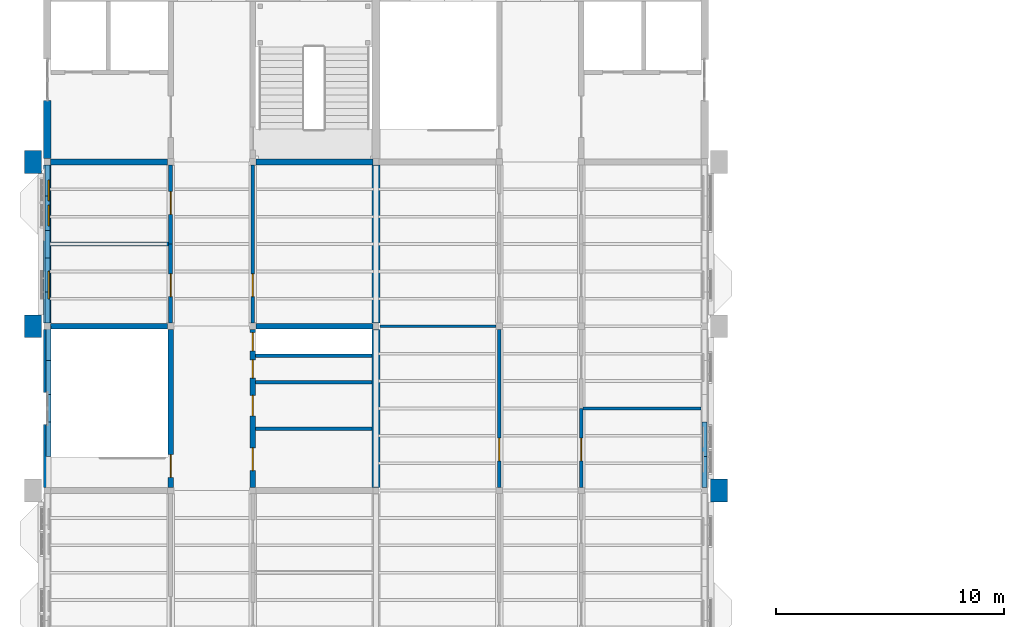
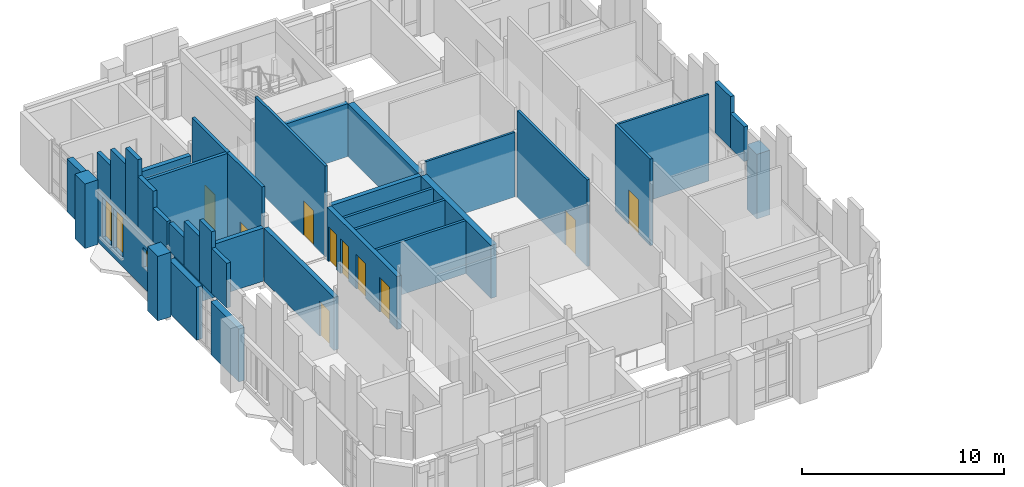
# One storey, part 34 of 51: 37 walls, 10 doors, 3 windows, 13 openings.
"""IFC4 building model written with IfcOpenShell, lengths in metres."""

from ifc_helpers import new_model, si_unit, direction, frame, frame_2d, origin, place, context, subcontext, project, spatial, rectangle, extrude, material, layer, layer_set, type_object, element, fill, save


model = new_model("IFC4")

# Units and contexts
model_context = context("Model", 3, precision=1e-05, world=origin(), true_north=direction((0.0, 1.0)))
body_context = subcontext(model_context, "Body", "Model", "MODEL_VIEW")
ifc_project = project(units=[si_unit("LENGTHUNIT", "METRE"), si_unit("AREAUNIT", "SQUARE_METRE"), si_unit("VOLUMEUNIT", "CUBIC_METRE"), si_unit("PLANEANGLEUNIT", "RADIAN"), si_unit("MASSUNIT", "GRAM", prefix="KILO")], contexts=[model_context])

# Site, building, storey
site_placement = place(None, origin())
site = spatial("IfcSite", under=ifc_project, at=site_placement, CompositionType="ELEMENT")
building_placement = place(site_placement, origin())
building = spatial("IfcBuilding", under=site, at=building_placement, Name="Mazhai Court Health Centre", CompositionType="ELEMENT")
storey_placement = place(building_placement, frame((0.0, 0.0, 14.10009765625)))
storey = spatial("IfcBuildingStorey", under=building, at=storey_placement, Name="L03", CompositionType="ELEMENT", Elevation=14.10009765625)

# Walls
ifc_material_1 = material(Name="Clay brick masonry", Category="masonry")
ifc_layer_1 = layer(ifc_material_1, 0.22998046875)
ifc_layer_set_1 = layer_set([ifc_layer_1], Name="BRICK PARAPET 230")
wall_type_1 = type_object("IfcWallType", Name="BRICK PARAPET 230", PredefinedType="SOLIDWALL", material=ifc_layer_set_1)
wall_1_placement = place(storey_placement, frame((6.25, 22.10009765625, 3.599853515625), z_axis=(0.0, 0.0, 1.0), x_axis=(0.0, 1.0, 0.0)))
element("IfcWall", 1, at=wall_1_placement, inside=storey, type_object=wall_type_1, Name="PR-V2-A12", PredefinedType="SOLIDWALL", context=body_context, shape_type="SweptSolid", body=[
    extrude(rectangle(XDim=1.5, YDim=0.22998046875, at=frame_2d((0.75, 0.0))), origin(), (0.0, 0.0, 1.0), 2.699951171875),
])
wall_2_placement = place(storey_placement, frame((6.25, 23.60009765625, 3.599853515625), z_axis=(0.0, 0.0, 1.0), x_axis=(0.0, 1.0, 0.0)))
element("IfcWall", 2, at=wall_2_placement, inside=storey, type_object=wall_type_1, Name="PR-V2-A13", PredefinedType="SOLIDWALL", context=body_context, shape_type="SweptSolid", body=[
    extrude(rectangle(XDim=1.199951171875, YDim=0.22998046875, at=frame_2d((0.60009765625, 0.0))), origin(), (0.0, 0.0, 1.0), 3.699951171875),
])
wall_3_placement = place(storey_placement, frame((6.25, 24.800048828125, 3.599853515625), z_axis=(0.0, 0.0, 1.0), x_axis=(0.0, 1.0, 0.0)))
element("IfcWall", 3, at=wall_3_placement, inside=storey, type_object=wall_type_1, Name="PR-V2-A14", PredefinedType="SOLIDWALL", context=body_context, shape_type="SweptSolid", body=[
    extrude(rectangle(XDim=1.5, YDim=0.22998046875, at=frame_2d((0.75, 0.0))), origin(), (0.0, 0.0, 1.0), 2.699951171875),
])
wall_4_placement = place(storey_placement, frame((6.25, 26.300048828125, 3.599853515625), z_axis=(0.0, 0.0, 1.0), x_axis=(0.0, 1.0, 0.0)))
element("IfcWall", 4, at=wall_4_placement, inside=storey, type_object=wall_type_1, Name="PR-V2-A15", PredefinedType="SOLIDWALL", context=body_context, shape_type="SweptSolid", body=[
    extrude(rectangle(XDim=1.5, YDim=0.22998046875, at=frame_2d((0.75, 0.0))), origin(), (0.0, 0.0, 1.0), 1.699951171875),
])
wall_5_placement = place(storey_placement, frame((6.199951171875, 27.93994140625, 3.199951171875), z_axis=(0.0, 0.0, 1.0), x_axis=(0.0, 1.0, 0.0)))
element("IfcWall", 5, at=wall_5_placement, inside=storey, type_object=wall_type_1, Name="PR-V2-A16", PredefinedType="SOLIDWALL", context=body_context, shape_type="SweptSolid", body=[
    extrude(rectangle(XDim=1.360107421875, YDim=0.22998046875, at=frame_2d((0.68017578125, 0.0))), origin(), (0.0, 0.0, 1.0), 2.099853515625),
])
wall_6_placement = place(storey_placement, frame((6.199951171875, 29.300048828125, 3.199951171875), z_axis=(0.0, 0.0, 1.0), x_axis=(0.0, 1.0, 0.0)))
element("IfcWall", 6, at=wall_6_placement, inside=storey, type_object=wall_type_1, Name="PR-V2-A17", PredefinedType="SOLIDWALL", context=body_context, shape_type="SweptSolid", body=[
    extrude(rectangle(XDim=1.5, YDim=0.22998046875, at=frame_2d((0.75, 0.0))), origin(), (0.0, 0.0, 1.0), 3.099853515625),
])
wall_7_placement = place(storey_placement, frame((6.199951171875, 30.800048828125, 3.199951171875), z_axis=(0.0, 0.0, 1.0), x_axis=(0.0, 1.0, 0.0)))
element("IfcWall", 7, at=wall_7_placement, inside=storey, type_object=wall_type_1, Name="PR-V2-A18", PredefinedType="SOLIDWALL", context=body_context, shape_type="SweptSolid", body=[
    extrude(rectangle(XDim=1.199951171875, YDim=0.22998046875, at=frame_2d((0.60009765625, 0.0))), origin(), (0.0, 0.0, 1.0), 4.099853515625),
])
wall_8_placement = place(storey_placement, frame((6.199951171875, 32.0, 3.199951171875), z_axis=(0.0, 0.0, 1.0), x_axis=(0.0, 1.0, 0.0)))
element("IfcWall", 8, at=wall_8_placement, inside=storey, type_object=wall_type_1, Name="PR-V2-A19", PredefinedType="SOLIDWALL", context=body_context, shape_type="SweptSolid", body=[
    extrude(rectangle(XDim=1.5, YDim=0.22998046875, at=frame_2d((0.75, 0.0))), origin(), (0.0, 0.0, 1.0), 3.099853515625),
])
for number, where, z_axis, x_axis, name in (
    (9, (6.199951171875, 33.5, 3.199951171875), (0.0, 0.0, 1.0), (0.0, 1.0, 0.0), "PR-V2-A20"),
    (10, (35.0, 22.10009765625, 3.199951171875), (0.0, 0.0, 1.0), (0.0, -1.0, 0.0), "PR-V5-B11"),
):
    element("IfcWall", number, at=place(storey_placement, frame(where, z_axis=z_axis, x_axis=x_axis)), inside=storey, type_object=wall_type_1, Name=name, PredefinedType="SOLIDWALL", context=body_context, shape_type="SweptSolid", body=[
        extrude(rectangle(XDim=1.360107421875, YDim=0.22998046875, at=frame_2d((0.68017578125, 0.0))), origin(), (0.0, 0.0, 1.0), 2.099853515625),
    ])
wall_9_placement = place(storey_placement, frame((35.0, 23.60009765625, 3.199951171875), z_axis=(0.0, 0.0, 1.0), x_axis=(0.0, -1.0, 0.0)))
element("IfcWall", 11, at=wall_9_placement, inside=storey, type_object=wall_type_1, Name="PR-V5-B12", PredefinedType="SOLIDWALL", context=body_context, shape_type="SweptSolid", body=[
    extrude(rectangle(XDim=1.5, YDim=0.22998046875, at=frame_2d((0.75, 0.0))), origin(), (0.0, 0.0, 1.0), 3.099853515625),
])
ifc_material_2 = material(Name="Clay brick masonry", Category="masonry")
ifc_layer_2 = layer(ifc_material_2, 0.75)
ifc_layer_set_2 = layer_set([ifc_layer_2], Name="BRICK PIER 750")
wall_type_2 = type_object("IfcWallType", Name="BRICK PIER 750", PredefinedType="SOLIDWALL", material=ifc_layer_set_2)
for number, where, z_axis, x_axis, name in (
    (12, (5.574951171875, 27.300048828125, 0.0), (0.0, 0.0, 1.0), (0.0, 1.0, 0.0), "EP-V2-L03-A3"),
    (13, (5.574951171875, 34.5, 0.0), (0.0, 0.0, 1.0), (0.0, 1.0, 0.0), "EP-V2-L03-A4"),
    (14, (35.625, 21.10009765625, 0.0), (0.0, 0.0, 1.0), (0.0, -1.0, 0.0), "EP-V5-L03-B2"),
):
    element("IfcWall", number, at=place(storey_placement, frame(where, z_axis=z_axis, x_axis=x_axis)), inside=storey, type_object=wall_type_2, Name=name, PredefinedType="SOLIDWALL", context=body_context, shape_type="SweptSolid", body=[
        extrude(rectangle(XDim=1.0, YDim=0.75, at=frame_2d((0.5, 0.0))), origin(), (0.0, 0.0, 1.0), 3.89990234375),
    ])
ifc_material_3 = material(Name="Clay brick masonry", Category="masonry")
ifc_layer_3 = layer(ifc_material_3, 0.330078125)
ifc_layer_set_3 = layer_set([ifc_layer_3], Name="BRICK WALL 330 EXTERNAL")
wall_type_3 = type_object("IfcWallType", Name="BRICK WALL 330 EXTERNAL", PredefinedType="SOLIDWALL", material=ifc_layer_set_3)
for number, where, z_axis, x_axis, name in (
    (15, (6.199951171875, 20.739990234375, 0.0), (0.0, 0.0, 1.0), (0.0, 1.0, 0.0), "EW-V2-L03-A2a"),
    (16, (6.199951171875, 24.89990234375, 0.0), (0.0, 0.0, 1.0), (0.0, 1.0, 0.0), "EW-V2-L03-A2b"),
):
    element("IfcWall", number, at=place(storey_placement, frame(where, z_axis=z_axis, x_axis=x_axis)), inside=storey, type_object=wall_type_3, Name=name, PredefinedType="SOLIDWALL", context=body_context, shape_type="SweptSolid", body=[
        extrude(rectangle(XDim=2.760009765625, YDim=0.330078125, at=frame_2d((1.3798828125, 0.0))), origin(), (0.0, 0.0, 1.0), 3.199951171875),
    ])

# Wall, openings, windows
wall_10_placement = place(storey_placement, frame((6.199951171875, 27.93994140625, 0.0), z_axis=(0.0, 0.0, 1.0), x_axis=(0.0, 1.0, 0.0)))
wall_10 = element("IfcWall", 17, at=wall_10_placement, inside=storey, type_object=wall_type_3, Name="EW-V2-L03-A3p0", PredefinedType="SOLIDWALL", context=body_context, shape_type="SweptSolid", body=[
    extrude(rectangle(XDim=6.920166015625, YDim=0.330078125, at=frame_2d((3.4599609375, 0.0))), origin(), (0.0, 0.0, 1.0), 3.199951171875),
])
opening_1_placement = place(wall_10_placement, frame((1.06005859375, 0.0, 1.199951171875)))
opening_1 = element("IfcOpeningElement", 18, at=opening_1_placement, cuts=wall_10, Name="Opening W13", PredefinedType="OPENING", context=body_context, shape_type="SweptSolid", body=[
    extrude(rectangle(XDim=1.199951171875, YDim=1.199951171875, at=frame_2d((0.60009765625, 0.60009765625))), frame((0.0, 0.175048828125, 0.0), z_axis=(0.0, -1.0, 0.0), x_axis=(1.0, 0.0, 0.0)), (0.0, 0.0, 1.0), 0.35009765625),
])
opening_2_placement = place(wall_10_placement, frame((4.260009765625, 0.0, 0.60009765625)))
opening_2 = element("IfcOpeningElement", 19, at=opening_2_placement, cuts=wall_10, Name="Opening W14", PredefinedType="OPENING", context=body_context, shape_type="SweptSolid", body=[
    extrude(rectangle(XDim=0.89990234375, YDim=2.39990234375, at=frame_2d((0.449951171875, 1.199951171875))), frame((0.0, 0.175048828125, 0.0), z_axis=(0.0, -1.0, 0.0), x_axis=(1.0, 0.0, 0.0)), (0.0, 0.0, 1.0), 0.35009765625),
])
opening_3_placement = place(wall_10_placement, frame((5.360107421875, 0.0, 0.60009765625)))
opening_3 = element("IfcOpeningElement", 20, at=opening_3_placement, cuts=wall_10, Name="Opening W14", PredefinedType="OPENING", context=body_context, shape_type="SweptSolid", body=[
    extrude(rectangle(XDim=0.89990234375, YDim=2.39990234375, at=frame_2d((0.449951171875, 1.199951171875))), frame((0.0, 0.175048828125, 0.0), z_axis=(0.0, -1.0, 0.0), x_axis=(1.0, 0.0, 0.0)), (0.0, 0.0, 1.0), 0.35009765625),
])
ifc_material_4 = material(Name="Aluminium louvre frame", Category="aluminium")
window_type_1 = type_object("IfcWindowType", Name="WINDOW PLANT LOUVRE 1200x1200", PartitioningType="SINGLE_PANEL", PredefinedType="WINDOW", material=ifc_material_4)
window_1_placement = place(opening_1_placement, origin())
window_1 = element("IfcWindow", 21, at=window_1_placement, inside=storey, type_object=window_type_1, Name="W13 WN-V2-L03-A30", OverallHeight=1.199951171875, OverallWidth=1.199951171875, PartitioningType="SINGLE_PANEL", PredefinedType="WINDOW", context=body_context, shape_type="SweptSolid", body=[
    extrude(rectangle(XDim=1.199951171875, YDim=1.199951171875, at=frame_2d((0.60009765625, 0.60009765625))), frame((0.0, -0.030029296875, 0.0), z_axis=(0.0, -1.0, 0.0), x_axis=(1.0, 0.0, 0.0)), (0.0, 0.0, 1.0), 0.06005859375),
])
fill(opening_1, window_1)
ifc_material_5 = material(Name="Teak timber frame, glazed", Category="wood")
window_type_2 = type_object("IfcWindowType", Name="WINDOW TALL PAIRED 900x2400", PartitioningType="SINGLE_PANEL", PredefinedType="WINDOW", material=ifc_material_5)
window_2_placement = place(opening_2_placement, origin())
window_2 = element("IfcWindow", 22, at=window_2_placement, inside=storey, type_object=window_type_2, Name="W14 WN-V2-L03-A31a", OverallHeight=2.39990234375, OverallWidth=0.89990234375, PartitioningType="SINGLE_PANEL", PredefinedType="WINDOW", context=body_context, shape_type="SweptSolid", body=[
    extrude(rectangle(XDim=0.89990234375, YDim=2.39990234375, at=frame_2d((0.449951171875, 1.199951171875))), frame((0.0, -0.030029296875, 0.0), z_axis=(0.0, -1.0, 0.0), x_axis=(1.0, 0.0, 0.0)), (0.0, 0.0, 1.0), 0.06005859375),
])
fill(opening_2, window_2)
window_3_placement = place(opening_3_placement, origin())
window_3 = element("IfcWindow", 23, at=window_3_placement, inside=storey, type_object=window_type_2, Name="W14 WN-V2-L03-A31b", OverallHeight=2.39990234375, OverallWidth=0.89990234375, PartitioningType="SINGLE_PANEL", PredefinedType="WINDOW", context=body_context, shape_type="SweptSolid", body=[
    extrude(rectangle(XDim=0.89990234375, YDim=2.39990234375, at=frame_2d((0.449951171875, 1.199951171875))), frame((0.0, -0.030029296875, 0.0), z_axis=(0.0, -1.0, 0.0), x_axis=(1.0, 0.0, 0.0)), (0.0, 0.0, 1.0), 0.06005859375),
])
fill(opening_3, window_3)

# Walls
wall_11_placement = place(storey_placement, frame((6.199951171875, 35.139892578125, 0.0), z_axis=(0.0, 0.0, 1.0), x_axis=(0.0, 1.0, 0.0)))
element("IfcWall", 24, at=wall_11_placement, inside=storey, type_object=wall_type_3, Name="EW-V2-L03-A4a", PredefinedType="SOLIDWALL", context=body_context, shape_type="SweptSolid", body=[
    extrude(rectangle(XDim=2.56005859375, YDim=0.330078125, at=frame_2d((1.280029296875, 0.0))), origin(), (0.0, 0.0, 1.0), 3.199951171875),
])
ifc_material_6 = material(Name="Clay brick masonry", Category="masonry")
ifc_layer_4 = layer(ifc_material_6, 0.330078125)
ifc_layer_set_4 = layer_set([ifc_layer_4], Name="BRICK WALL 330 INTERNAL")
wall_type_4 = type_object("IfcWallType", Name="BRICK WALL 330 INTERNAL", PredefinedType="SOLIDWALL", material=ifc_layer_set_4)
wall_12_placement = place(storey_placement, frame((20.60009765625, 27.659912109375, 0.0), z_axis=(0.0, 0.0, 1.0), x_axis=(0.0, -1.0, 0.0)))
element("IfcWall", 25, at=wall_12_placement, inside=storey, type_object=wall_type_4, Name="EW-V2-L03-B2", PredefinedType="SOLIDWALL", context=body_context, shape_type="SweptSolid", body=[
    extrude(rectangle(XDim=6.919921875, YDim=0.330078125, at=frame_2d((3.4599609375, 0.0))), origin(), (0.0, 0.0, 1.0), 3.199951171875),
])
wall_13_placement = place(storey_placement, frame((20.60009765625, 34.860107421875, 0.0), z_axis=(0.0, 0.0, 1.0), x_axis=(0.0, -1.0, 0.0)))
element("IfcWall", 26, at=wall_13_placement, inside=storey, type_object=wall_type_4, Name="EW-V2-L03-B3", PredefinedType="SOLIDWALL", context=body_context, shape_type="SweptSolid", body=[
    extrude(rectangle(XDim=6.920166015625, YDim=0.330078125, at=frame_2d((3.4599609375, 0.0))), origin(), (0.0, 0.0, 1.0), 3.199951171875),
])
ifc_material_7 = material(Name="Gypsum plasterboard partition")
ifc_layer_5 = layer(ifc_material_7, 0.125)
ifc_layer_set_5 = layer_set([ifc_layer_5], Name="PARTITION 125 STUD EI30")
wall_type_5 = type_object("IfcWallType", Name="PARTITION 125 STUD EI30", PredefinedType="PARTITIONING", material=ifc_layer_set_5)
wall_14_placement = place(storey_placement, frame((20.764892578125, 27.800048828125, 0.0), z_axis=(0.0, 0.0, 1.0), x_axis=(1.0, 0.0, 0.0)))
element("IfcWall", 27, at=wall_14_placement, inside=storey, type_object=wall_type_5, Name="wall-V5-L03-A0-cross-2a", PredefinedType="PARTITIONING", context=body_context, shape_type="SweptSolid", body=[
    extrude(rectangle(XDim=5.09521484375, YDim=0.125, at=frame_2d((2.547607421875, 0.0))), origin(), (0.0, 0.0, 1.0), 3.89990234375),
])
wall_15_placement = place(storey_placement, frame((34.8349609375, 24.199951171875, 0.0), z_axis=(0.0, 0.0, 1.0), x_axis=(-1.0, 0.0, 0.0)))
element("IfcWall", 28, at=wall_15_placement, inside=storey, type_object=wall_type_5, Name="wall-V5-L03-B0-cross-3a", PredefinedType="PARTITIONING", context=body_context, shape_type="SweptSolid", body=[
    extrude(rectangle(XDim=5.159912109375, YDim=0.125, at=frame_2d((2.580078125, 0.0))), origin(), (0.0, 0.0, 1.0), 5.233154296875),
])

# Wall, opening, door
ifc_material_8 = material(Name="Gypsum plasterboard partition")
ifc_layer_6 = layer(ifc_material_8, 0.14990234375)
ifc_layer_set_6 = layer_set([ifc_layer_6], Name="PARTITION 150 CORRIDOR EI60")
wall_type_6 = type_object("IfcWallType", Name="PARTITION 150 CORRIDOR EI60", PredefinedType="PARTITIONING", material=ifc_layer_set_6)
wall_16_placement = place(storey_placement, frame((15.199951171875, 34.860107421875, 0.0), z_axis=(0.0, 0.0, 1.0), x_axis=(0.0, -1.0, 0.0)))
wall_16 = element("IfcWall", 29, at=wall_16_placement, inside=storey, type_object=wall_type_6, Name="wall-V2-L03-B1-corr-0a", PredefinedType="PARTITIONING", context=body_context, shape_type="SweptSolid", body=[
    extrude(rectangle(XDim=6.920166015625, YDim=0.14990234375, at=frame_2d((3.4599609375, 0.0))), origin(), (0.0, 0.0, 1.0), 5.485107421875),
])
opening_4_placement = place(wall_16_placement, frame((4.760009765625, 0.0, 0.0)))
opening_4 = element("IfcOpeningElement", 30, at=opening_4_placement, cuts=wall_16, Name="Opening D-L03-017", PredefinedType="OPENING", context=body_context, shape_type="SweptSolid", body=[
    extrude(rectangle(XDim=1.0, YDim=2.10009765625, at=frame_2d((0.5, 1.050048828125))), frame((0.0, 0.0849609375, 0.0), z_axis=(0.0, -1.0, 0.0), x_axis=(1.0, 0.0, 0.0)), (0.0, 0.0, 1.0), 0.169921875),
])
ifc_material_9 = material(Name="Hardwood door leaf", Category="wood")
door_type_1 = type_object("IfcDoorType", Name="DOOR 1000x2100 FD30S SINGLE", OperationType="NOTDEFINED", PredefinedType="DOOR", material=ifc_material_9)
door_1_placement = place(opening_4_placement, origin())
door_1 = element("IfcDoor", 31, at=door_1_placement, inside=storey, type_object=door_type_1, Name="door-V2-L03-B1-staff-change-and-rest-room", OperationType="SINGLE_SWING_RIGHT", OverallHeight=2.10009765625, OverallWidth=1.0, PredefinedType="DOOR", context=body_context, shape_type="SweptSolid", body=[
    extrude(rectangle(XDim=1.0, YDim=2.10009765625, at=frame_2d((0.5, 1.050048828125))), frame((0.0, 0.02490234375, 0.0), z_axis=(0.0, -1.0, 0.0), x_axis=(1.0, 0.0, 0.0)), (0.0, 0.0, 1.0), 0.050048828125),
])
fill(opening_4, door_1)

wall_17_placement = place(storey_placement, frame((26.0, 20.739990234375, 0.0), z_axis=(0.0, 0.0, 1.0), x_axis=(0.0, 1.0, 0.0)))
wall_17 = element("IfcWall", 32, at=wall_17_placement, inside=storey, type_object=wall_type_6, Name="wall-V5-L03-A0-corr-1a", PredefinedType="PARTITIONING", context=body_context, shape_type="SweptSolid", body=[
    extrude(rectangle(XDim=6.919921875, YDim=0.14990234375, at=frame_2d((3.4599609375, 0.0))), origin(), (0.0, 0.0, 1.0), 5.233154296875),
])
opening_5_placement = place(wall_17_placement, frame((1.159912109375, 0.0, 0.0)))
opening_5 = element("IfcOpeningElement", 33, at=opening_5_placement, cuts=wall_17, Name="Opening D-L03-021", PredefinedType="OPENING", context=body_context, shape_type="SweptSolid", body=[
    extrude(rectangle(XDim=1.0, YDim=2.10009765625, at=frame_2d((0.5, 1.050048828125))), frame((0.0, 0.0849609375, 0.0), z_axis=(0.0, -1.0, 0.0), x_axis=(1.0, 0.0, 0.0)), (0.0, 0.0, 1.0), 0.169921875),
])
door_2_placement = place(opening_5_placement, origin())
door_2 = element("IfcDoor", 34, at=door_2_placement, inside=storey, type_object=door_type_1, Name="door-V5-L03-A0-lecture-room", OperationType="SINGLE_SWING_LEFT", OverallHeight=2.10009765625, OverallWidth=1.0, PredefinedType="DOOR", context=body_context, shape_type="SweptSolid", body=[
    extrude(rectangle(XDim=1.0, YDim=2.10009765625, at=frame_2d((0.5, 1.050048828125))), frame((0.0, 0.02490234375, 0.0), z_axis=(0.0, -1.0, 0.0), x_axis=(1.0, 0.0, 0.0)), (0.0, 0.0, 1.0), 0.050048828125),
])
fill(opening_5, door_2)

wall_18_placement = place(storey_placement, frame((29.60009765625, 24.199951171875, 0.0), z_axis=(0.0, 0.0, 1.0), x_axis=(0.0, -1.0, 0.0)))
wall_18 = element("IfcWall", 35, at=wall_18_placement, inside=storey, type_object=wall_type_6, Name="wall-V5-L03-B0-corr-2a", PredefinedType="PARTITIONING", context=body_context, shape_type="SweptSolid", body=[
    extrude(rectangle(XDim=3.4599609375, YDim=0.14990234375, at=frame_2d((1.72998046875, 0.0))), origin(), (0.0, 0.0, 1.0), 5.233154296875),
])
opening_6_placement = place(wall_18_placement, frame((1.300048828125, 0.0, 0.0)))
opening_6 = element("IfcOpeningElement", 36, at=opening_6_placement, cuts=wall_18, Name="Opening D-L03-031", PredefinedType="OPENING", context=body_context, shape_type="SweptSolid", body=[
    extrude(rectangle(XDim=1.0, YDim=2.10009765625, at=frame_2d((0.5, 1.050048828125))), frame((0.0, 0.0849609375, 0.0), z_axis=(0.0, -1.0, 0.0), x_axis=(1.0, 0.0, 0.0)), (0.0, 0.0, 1.0), 0.169921875),
])
door_3_placement = place(opening_6_placement, origin())
door_3 = element("IfcDoor", 37, at=door_3_placement, inside=storey, type_object=door_type_1, Name="door-V5-L03-B0-meeting-room", OperationType="SINGLE_SWING_RIGHT", OverallHeight=2.10009765625, OverallWidth=1.0, PredefinedType="DOOR", context=body_context, shape_type="SweptSolid", body=[
    extrude(rectangle(XDim=1.0, YDim=2.10009765625, at=frame_2d((0.5, 1.050048828125))), frame((0.0, 0.02490234375, 0.0), z_axis=(0.0, -1.0, 0.0), x_axis=(1.0, 0.0, 0.0)), (0.0, 0.0, 1.0), 0.050048828125),
])
fill(opening_6, door_3)

ifc_material_10 = material(Name="Gypsum plasterboard partition")
ifc_layer_7 = layer(ifc_material_10, 0.175048828125)
ifc_layer_set_7 = layer_set([ifc_layer_7], Name="PARTITION 175 FIRE EI60")
wall_type_7 = type_object("IfcWallType", Name="PARTITION 175 FIRE EI60", PredefinedType="PARTITIONING", material=ifc_layer_set_7)
wall_19_placement = place(storey_placement, frame((11.60009765625, 31.39990234375, 0.0), z_axis=(0.0, 0.0, 1.0), x_axis=(0.0, -1.0, 0.0)))
wall_19 = element("IfcWall", 38, at=wall_19_placement, inside=storey, type_object=wall_type_7, Name="wall-V2-L03-A1-corr-0a", PredefinedType="PARTITIONING", context=body_context, shape_type="SweptSolid", body=[
    extrude(rectangle(XDim=3.4599609375, YDim=0.175048828125, at=frame_2d((1.72998046875, 0.0))), origin(), (0.0, 0.0, 1.0), 5.485107421875),
])
opening_7_placement = place(wall_19_placement, frame((1.300048828125, 0.0, 0.0)))
opening_7 = element("IfcOpeningElement", 39, at=opening_7_placement, cuts=wall_19, Name="Opening D-L03-004", PredefinedType="OPENING", context=body_context, shape_type="SweptSolid", body=[
    extrude(rectangle(XDim=1.0, YDim=2.10009765625, at=frame_2d((0.5, 1.050048828125))), frame((0.0, 0.097412109375, 0.0), z_axis=(0.0, -1.0, 0.0), x_axis=(1.0, 0.0, 0.0)), (0.0, 0.0, 1.0), 0.195068359375),
])
ifc_material_11 = material(Name="Hardwood door leaf", Category="wood")
door_type_2 = type_object("IfcDoorType", Name="DOOR 1000x2100 FD60 SINGLE", OperationType="NOTDEFINED", PredefinedType="DOOR", material=ifc_material_11)
door_4_placement = place(opening_7_placement, origin())
door_4 = element("IfcDoor", 40, at=door_4_placement, inside=storey, type_object=door_type_2, Name="door-V2-L03-A1-ot-ahu-plant-room", OperationType="SINGLE_SWING_RIGHT", OverallHeight=2.10009765625, OverallWidth=1.0, PredefinedType="DOOR", context=body_context, shape_type="SweptSolid", body=[
    extrude(rectangle(XDim=1.0, YDim=2.10009765625, at=frame_2d((0.5, 1.050048828125))), frame((0.0, 0.02490234375, 0.0), z_axis=(0.0, -1.0, 0.0), x_axis=(1.0, 0.0, 0.0)), (0.0, 0.0, 1.0), 0.050048828125),
])
fill(opening_7, door_4)

wall_20_placement = place(storey_placement, frame((11.60009765625, 34.860107421875, 0.0), z_axis=(0.0, 0.0, 1.0), x_axis=(0.0, -1.0, 0.0)))
wall_20 = element("IfcWall", 41, at=wall_20_placement, inside=storey, type_object=wall_type_7, Name="wall-V2-L03-A1-corr-1a", PredefinedType="PARTITIONING", context=body_context, shape_type="SweptSolid", body=[
    extrude(rectangle(XDim=3.460205078125, YDim=0.175048828125, at=frame_2d((1.72998046875, 0.0))), origin(), (0.0, 0.0, 1.0), 5.485107421875),
])
opening_8_placement = place(wall_20_placement, frame((1.159912109375, 0.0, 0.0)))
opening_8 = element("IfcOpeningElement", 42, at=opening_8_placement, cuts=wall_20, Name="Opening D-L03-005", PredefinedType="OPENING", context=body_context, shape_type="SweptSolid", body=[
    extrude(rectangle(XDim=1.0, YDim=2.10009765625, at=frame_2d((0.5, 1.050048828125))), frame((0.0, 0.097412109375, 0.0), z_axis=(0.0, -1.0, 0.0), x_axis=(1.0, 0.0, 0.0)), (0.0, 0.0, 1.0), 0.195068359375),
])
door_5_placement = place(opening_8_placement, origin())
door_5 = element("IfcDoor", 43, at=door_5_placement, inside=storey, type_object=door_type_2, Name="door-V2-L03-A1-operating-suite-power-distribution-room", OperationType="SINGLE_SWING_LEFT", OverallHeight=2.10009765625, OverallWidth=1.0, PredefinedType="DOOR", context=body_context, shape_type="SweptSolid", body=[
    extrude(rectangle(XDim=1.0, YDim=2.10009765625, at=frame_2d((0.5, 1.050048828125))), frame((0.0, 0.02490234375, 0.0), z_axis=(0.0, -1.0, 0.0), x_axis=(1.0, 0.0, 0.0)), (0.0, 0.0, 1.0), 0.050048828125),
])
fill(opening_8, door_5)

# Wall
wall_21_placement = place(storey_placement, frame((6.364990234375, 31.39990234375, 0.0), z_axis=(0.0, 0.0, 1.0), x_axis=(1.0, 0.0, 0.0)))
element("IfcWall", 44, at=wall_21_placement, inside=storey, type_object=wall_type_7, Name="wall-V2-L03-A1-cross-1a", PredefinedType="PARTITIONING", context=body_context, shape_type="SweptSolid", body=[
    extrude(rectangle(XDim=5.1474609375, YDim=0.175048828125, at=frame_2d((2.57373046875, 0.0))), origin(), (0.0, 0.0, 1.0), 5.485107421875),
])

# Wall, opening, door
ifc_material_12 = material(Name="Concrete M40", Category="concrete")
ifc_layer_8 = layer(ifc_material_12, 0.25)
ifc_layer_set_8 = layer_set([ifc_layer_8], Name="RC CORE WALL 250 M40")
wall_type_8 = type_object("IfcWallType", Name="RC CORE WALL 250 M40", PredefinedType="SHEAR", material=ifc_layer_set_8)
wall_22_placement = place(storey_placement, frame((11.60009765625, 20.739990234375, 0.0), z_axis=(0.0, 0.0, 1.0), x_axis=(0.0, 1.0, 0.0)))
wall_22 = element("IfcWall", 45, at=wall_22_placement, inside=storey, type_object=wall_type_8, Name="core-C2-w-stair-corr-L03", PredefinedType="SHEAR", context=body_context, shape_type="SweptSolid", body=[
    extrude(rectangle(XDim=6.919921875, YDim=0.25, at=frame_2d((3.4599609375, 0.0))), origin(), (0.0, 0.0, 1.0), 3.199951171875),
])
opening_9_placement = place(wall_22_placement, frame((0.43505859375, 0.0, 0.0)))
opening_9 = element("IfcOpeningElement", 46, at=opening_9_placement, cuts=wall_22, Name="Opening D-L03-003", PredefinedType="OPENING", context=body_context, shape_type="SweptSolid", body=[
    extrude(rectangle(XDim=1.0, YDim=2.10009765625, at=frame_2d((0.5, 1.050048828125))), frame((0.0, 0.135009765625, 0.0), z_axis=(0.0, -1.0, 0.0), x_axis=(1.0, 0.0, 0.0)), (0.0, 0.0, 1.0), 0.27001953125),
])
ifc_material_13 = material(Name="Steel fire door leaf", Category="steel")
door_type_3 = type_object("IfcDoorType", Name="FD120S STAIR DOOR 1000x2100", OperationType="SINGLE_SWING_LEFT", PredefinedType="DOOR", material=ifc_material_13)
door_6_placement = place(opening_9_placement, origin())
door_6 = element("IfcDoor", 47, at=door_6_placement, inside=storey, type_object=door_type_3, Name="Stair 2 door L03", OperationType="SINGLE_SWING_RIGHT", OverallHeight=2.10009765625, OverallWidth=1.0, PredefinedType="DOOR", context=body_context, shape_type="SweptSolid", body=[
    extrude(rectangle(XDim=1.0, YDim=2.10009765625, at=frame_2d((0.5, 1.050048828125))), frame((0.0, 0.02490234375, 0.0), z_axis=(0.0, -1.0, 0.0), x_axis=(1.0, 0.0, 0.0)), (0.0, 0.0, 1.0), 0.050048828125),
])
fill(opening_9, door_6)

# Wall
wall_23_placement = place(storey_placement, frame((6.340087890625, 27.800048828125, 0.0), z_axis=(0.0, 0.0, 1.0), x_axis=(1.0, 0.0, 0.0)))
element("IfcWall", 48, at=wall_23_placement, inside=storey, type_object=wall_type_8, Name="core-C2-w-stair-line1-L03", PredefinedType="SHEAR", context=body_context, shape_type="SweptSolid", body=[
    extrude(rectangle(XDim=5.119873046875, YDim=0.25, at=frame_2d((2.56005859375, 0.0))), origin(), (0.0, 0.0, 1.0), 3.199951171875),
])

# Wall, openings, doors
wall_24_placement = place(storey_placement, frame((15.199951171875, 20.739990234375, 0.0), z_axis=(0.0, 0.0, 1.0), x_axis=(0.0, 1.0, 0.0)))
wall_24 = element("IfcWall", 49, at=wall_24_placement, inside=storey, type_object=wall_type_8, Name="core-C2-w-other-corr-L03", PredefinedType="SHEAR", context=body_context, shape_type="SweptSolid", body=[
    extrude(rectangle(XDim=6.919921875, YDim=0.25, at=frame_2d((3.4599609375, 0.0))), origin(), (0.0, 0.0, 1.0), 3.199951171875),
])
opening_10_placement = place(wall_24_placement, frame((0.735107421875, 0.0, 0.0)))
opening_10 = element("IfcOpeningElement", 50, at=opening_10_placement, cuts=wall_24, Name="Opening D-L03-013", PredefinedType="OPENING", context=body_context, shape_type="SweptSolid", body=[
    extrude(rectangle(XDim=1.0, YDim=2.10009765625, at=frame_2d((0.5, 1.050048828125))), frame((0.0, 0.135009765625, 0.0), z_axis=(0.0, -1.0, 0.0), x_axis=(1.0, 0.0, 0.0)), (0.0, 0.0, 1.0), 0.27001953125),
])
opening_11_placement = place(wall_24_placement, frame((3.135009765625, 0.0, 0.0)))
opening_11 = element("IfcOpeningElement", 51, at=opening_11_placement, cuts=wall_24, Name="Opening D-L03-014", PredefinedType="OPENING", context=body_context, shape_type="SweptSolid", body=[
    extrude(rectangle(XDim=0.89990234375, YDim=2.10009765625, at=frame_2d((0.449951171875, 1.050048828125))), frame((0.0, 0.135009765625, 0.0), z_axis=(0.0, -1.0, 0.0), x_axis=(1.0, 0.0, 0.0)), (0.0, 0.0, 1.0), 0.27001953125),
])
opening_12_placement = place(wall_24_placement, frame((4.784912109375, 0.0, 0.0)))
opening_12 = element("IfcOpeningElement", 52, at=opening_12_placement, cuts=wall_24, Name="Opening D-L03-015", PredefinedType="OPENING", context=body_context, shape_type="SweptSolid", body=[
    extrude(rectangle(XDim=0.800048828125, YDim=2.10009765625, at=frame_2d((0.39990234375, 1.050048828125))), frame((0.0, 0.135009765625, 0.0), z_axis=(0.0, -1.0, 0.0), x_axis=(1.0, 0.0, 0.0)), (0.0, 0.0, 1.0), 0.27001953125),
])
opening_13_placement = place(wall_24_placement, frame((5.985107421875, 0.0, 0.0)))
opening_13 = element("IfcOpeningElement", 53, at=opening_13_placement, cuts=wall_24, Name="Opening D-L03-016", PredefinedType="OPENING", context=body_context, shape_type="SweptSolid", body=[
    extrude(rectangle(XDim=0.800048828125, YDim=2.10009765625, at=frame_2d((0.39990234375, 1.050048828125))), frame((0.0, 0.135009765625, 0.0), z_axis=(0.0, -1.0, 0.0), x_axis=(1.0, 0.0, 0.0)), (0.0, 0.0, 1.0), 0.27001953125),
])
ifc_material_14 = material(Name="Timber door leaf", Category="wood")
door_type_4 = type_object("IfcDoorType", Name="ACCESSIBLE WC DOOR 1000x2100", OperationType="SINGLE_SWING_RIGHT", PredefinedType="DOOR", material=ifc_material_14)
door_7_placement = place(opening_10_placement, origin())
door_7 = element("IfcDoor", 54, at=door_7_placement, inside=storey, type_object=door_type_4, Name="Accessible WC door L03", OperationType="SINGLE_SWING_LEFT", OverallHeight=2.10009765625, OverallWidth=1.0, PredefinedType="DOOR", context=body_context, shape_type="SweptSolid", body=[
    extrude(rectangle(XDim=1.0, YDim=2.10009765625, at=frame_2d((0.5, 1.050048828125))), frame((0.0, 0.02490234375, 0.0), z_axis=(0.0, -1.0, 0.0), x_axis=(1.0, 0.0, 0.0)), (0.0, 0.0, 1.0), 0.050048828125),
])
fill(opening_10, door_7)
ifc_material_15 = material(Name="Timber door leaf", Category="wood")
door_type_5 = type_object("IfcDoorType", Name="CLEANER STORE DOOR 800x2100", OperationType="SINGLE_SWING_LEFT", PredefinedType="DOOR", material=ifc_material_15)
door_8_placement = place(opening_12_placement, origin())
door_8 = element("IfcDoor", 55, at=door_8_placement, inside=storey, type_object=door_type_5, Name="Cleaner door L03", OperationType="SINGLE_SWING_LEFT", OverallHeight=2.10009765625, OverallWidth=0.800048828125, PredefinedType="DOOR", context=body_context, shape_type="SweptSolid", body=[
    extrude(rectangle(XDim=0.800048828125, YDim=2.10009765625, at=frame_2d((0.39990234375, 1.050048828125))), frame((0.0, 0.02490234375, 0.0), z_axis=(0.0, -1.0, 0.0), x_axis=(1.0, 0.0, 0.0)), (0.0, 0.0, 1.0), 0.050048828125),
])
fill(opening_12, door_8)
ifc_material_16 = material(Name="Steel fire door leaf", Category="steel")
door_type_6 = type_object("IfcDoorType", Name="FD60S RISER DOOR 800x2100", OperationType="SINGLE_SWING_LEFT", PredefinedType="DOOR", material=ifc_material_16)
door_9_placement = place(opening_13_placement, origin())
door_9 = element("IfcDoor", 56, at=door_9_placement, inside=storey, type_object=door_type_6, Name="Riser door L03", OperationType="SINGLE_SWING_LEFT", OverallHeight=2.10009765625, OverallWidth=0.800048828125, PredefinedType="DOOR", context=body_context, shape_type="SweptSolid", body=[
    extrude(rectangle(XDim=0.800048828125, YDim=2.10009765625, at=frame_2d((0.39990234375, 1.050048828125))), frame((0.0, 0.02490234375, 0.0), z_axis=(0.0, -1.0, 0.0), x_axis=(1.0, 0.0, 0.0)), (0.0, 0.0, 1.0), 0.050048828125),
])
fill(opening_13, door_9)
ifc_material_17 = material(Name="Timber door leaf", Category="wood")
door_type_7 = type_object("IfcDoorType", Name="WC DOOR 900x2100", OperationType="SINGLE_SWING_LEFT", PredefinedType="DOOR", material=ifc_material_17)
door_10_placement = place(opening_11_placement, origin())
door_10 = element("IfcDoor", 57, at=door_10_placement, inside=storey, type_object=door_type_7, Name="WC door L03", OperationType="SINGLE_SWING_LEFT", OverallHeight=2.10009765625, OverallWidth=0.89990234375, PredefinedType="DOOR", context=body_context, shape_type="SweptSolid", body=[
    extrude(rectangle(XDim=0.89990234375, YDim=2.10009765625, at=frame_2d((0.449951171875, 1.050048828125))), frame((0.0, 0.02490234375, 0.0), z_axis=(0.0, -1.0, 0.0), x_axis=(1.0, 0.0, 0.0)), (0.0, 0.0, 1.0), 0.050048828125),
])
fill(opening_11, door_10)

# Walls
for number, where, z_axis, x_axis, name in (
    (58, (15.340087890625, 27.800048828125, 0.0), (0.0, 0.0, 1.0), (1.0, 0.0, 0.0), "core-C2-w-other-line1-L03"),
    (59, (15.340087890625, 35.0, 0.0), (0.0, 0.0, 1.0), (1.0, 0.0, 0.0), "core-C3-w-stair-line0-L03"),
    (60, (6.340087890625, 35.0, 0.0), (0.0, 0.0, 1.0), (1.0, 0.0, 0.0), "core-C3-w-other-line0-L03"),
):
    element("IfcWall", number, at=place(storey_placement, frame(where, z_axis=z_axis, x_axis=x_axis)), inside=storey, type_object=wall_type_8, Name=name, PredefinedType="SHEAR", context=body_context, shape_type="SweptSolid", body=[
        extrude(rectangle(XDim=5.119873046875, YDim=0.25, at=frame_2d((2.56005859375, 0.0))), origin(), (0.0, 0.0, 1.0), 3.199951171875),
    ])
ifc_material_18 = material(Name="Concrete M25", Category="concrete")
ifc_layer_9 = layer(ifc_material_18, 0.14990234375)
ifc_layer_set_9 = layer_set([ifc_layer_9], Name="RC SERVICE ROOM WALL 150 M25")
wall_type_9 = type_object("IfcWallType", Name="RC SERVICE ROOM WALL 150 M25", PredefinedType="PARTITIONING", material=ifc_layer_set_9)
for number, where, z_axis, x_axis, name in (
    (61, (15.324951171875, 23.300048828125, 0.0), (0.0, 0.0, 1.0), (1.0, 0.0, 0.0), "core-C2-w-room0-L03"),
    (62, (15.324951171875, 25.35009765625, 0.0), (0.0, 0.0, 1.0), (1.0, 0.0, 0.0), "core-C2-w-room1-L03"),
    (63, (15.324951171875, 26.5, 0.0), (0.0, 0.0, 1.0), (1.0, 0.0, 0.0), "core-C2-w-room2-L03"),
):
    element("IfcWall", number, at=place(storey_placement, frame(where, z_axis=z_axis, x_axis=x_axis)), inside=storey, type_object=wall_type_9, Name=name, PredefinedType="PARTITIONING", context=body_context, shape_type="SweptSolid", body=[
        extrude(rectangle(XDim=5.110107421875, YDim=0.14990234375, at=frame_2d((2.55517578125, 0.0))), origin(), (0.0, 0.0, 1.0), 3.199951171875),
    ])

save(model, "model.ifc")
